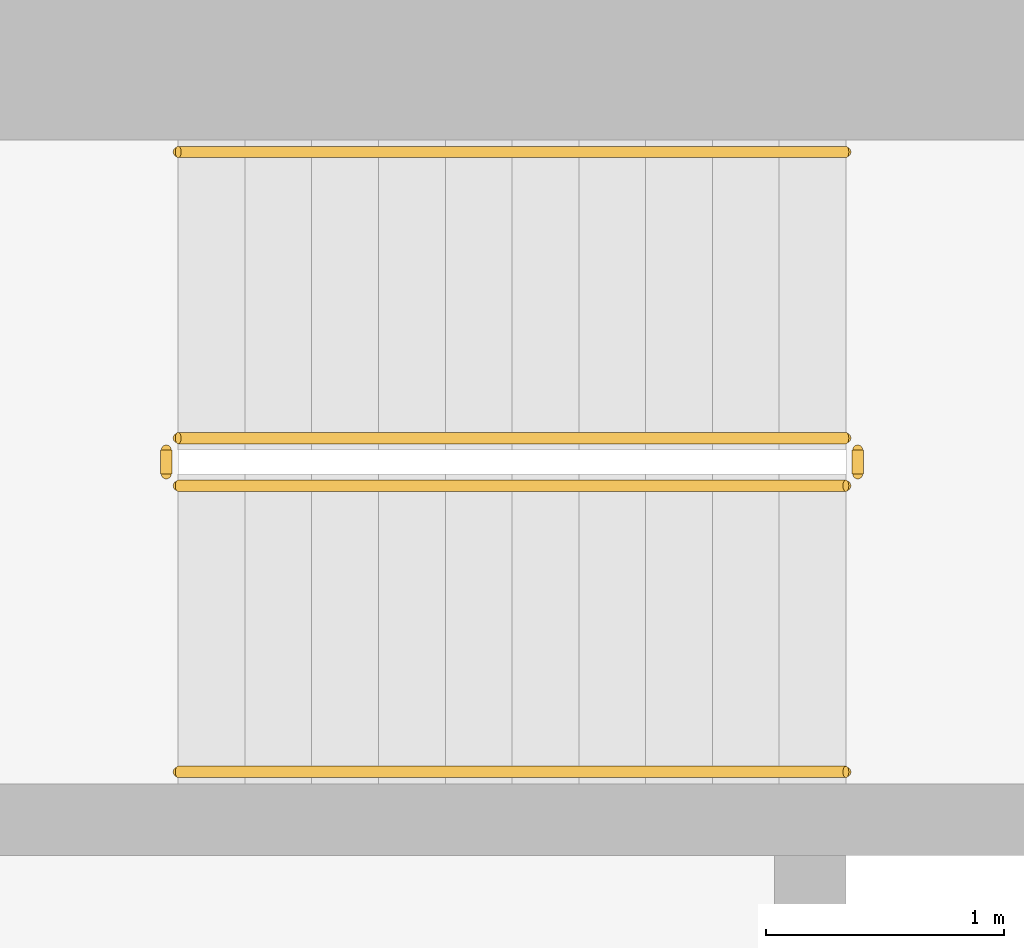
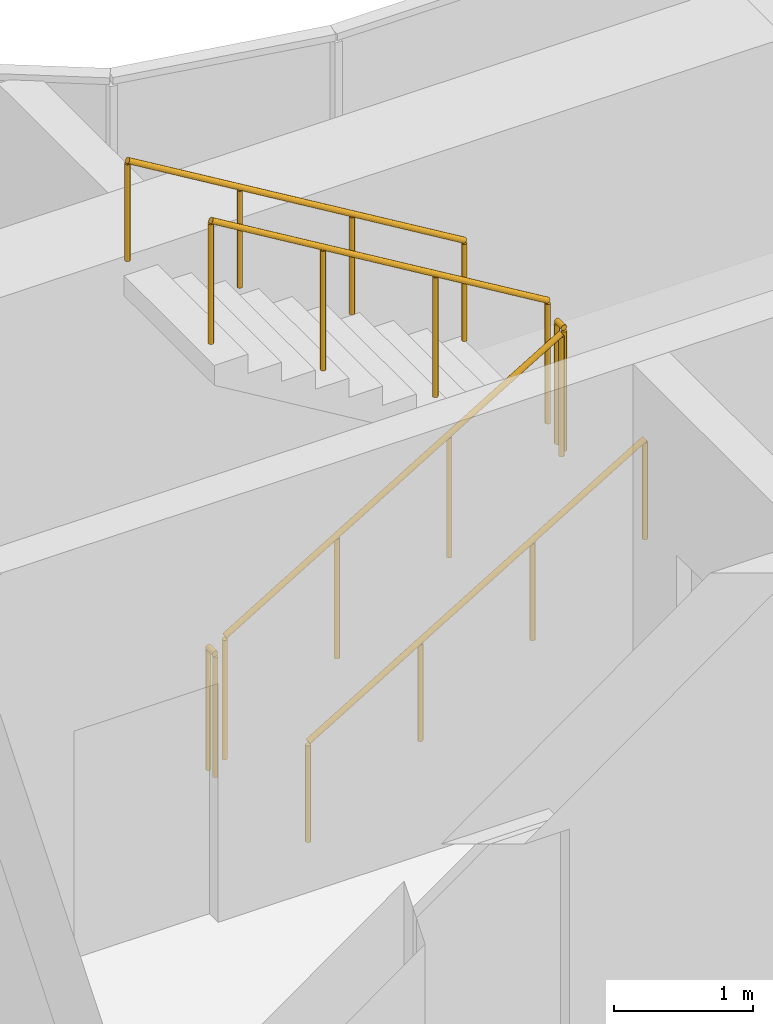
# One storey, part 19 of 22: 6 railings.
"""IFC4 building model written with IfcOpenShell, lengths in metres."""

import ifcopenshell
import ifcopenshell.guid

model = None  # the IFC model being written
_history = None  # IfcOwnerHistory: only IFC2X3 demands one
_inside = {}  # id of a spatial element -> (the spatial element, [elements in it])
_under = {}  # id of a project, library or spatial element -> (it, [spatial elements below it])
_declared = {}  # id of a project -> (the project, [libraries it declares])
_typed = {}  # id of a type object -> (the type object, [elements of that type])
_made_of = {}  # id of a material, layer set ... -> (it, [elements and type objects made of it])


def new_model(schema):
    """Start an empty IFC model of exactly this schema.

    Asked for "IFC4X3", IfcOpenShell would pick the latest addendum, in which some entities
    have other attributes; the version numbers below select the first issue.
    IFC2X3 requires an IfcOwnerHistory on every rooted entity: one is made here for all.
    """
    global model, _history
    if schema == "IFC4X3":
        model = ifcopenshell.file(schema_version=(4, 3, 0, 0))
    else:
        model = ifcopenshell.file(schema=schema)
    _inside.clear()
    _under.clear()
    _declared.clear()
    _typed.clear()
    _made_of.clear()
    _history = None
    if model.schema == "IFC2X3":
        org = make("IfcOrganization", Name="unknown")
        user = make(
            "IfcPersonAndOrganization",
            ThePerson=make("IfcPerson", FamilyName="unknown"),
            TheOrganization=org,
        )
        app = make(
            "IfcApplication",
            ApplicationDeveloper=org,
            Version="unknown",
            ApplicationFullName="unknown",
            ApplicationIdentifier="unknown",
        )
        _history = make(
            "IfcOwnerHistory",
            OwningUser=user,
            OwningApplication=app,
            ChangeAction="ADDED",
            CreationDate=0,
        )
    return model


def make(cls, **values):
    """One entity of the class cls with the attributes given. An attribute that is None is left unset."""
    return model.create_entity(
        cls, **{name: value for name, value in values.items() if value is not None}
    )


def rooted(cls, **values):
    """An entity with a GlobalId (a new one), such as an element, a storey or a relation."""
    return make(cls, GlobalId=ifcopenshell.guid.new(), OwnerHistory=_history, **values)


def si_unit(unit_type, name, prefix=None):
    """IfcSIUnit, for example si_unit("LENGTHUNIT", "METRE", prefix="MILLI")."""
    return make("IfcSIUnit", UnitType=unit_type, Prefix=prefix, Name=name)


def assignment(units):
    """IfcUnitAssignment: the units of a project."""
    return None if units is None else make("IfcUnitAssignment", Units=units)


def point(xyz):
    """IfcCartesianPoint."""
    return None if xyz is None else make("IfcCartesianPoint", Coordinates=xyz)


def direction(xyz):
    """IfcDirection."""
    return None if xyz is None else make("IfcDirection", DirectionRatios=xyz)


def frame(location, z_axis=None, x_axis=None):
    """IfcAxis2Placement3D, a coordinate frame: its origin and axes. An axis left out is left unset."""
    return make(
        "IfcAxis2Placement3D",
        Location=point(location),
        Axis=direction(z_axis),
        RefDirection=direction(x_axis),
    )


def frame_2d(location, x_axis=None):
    """IfcAxis2Placement2D, a coordinate frame in the plane: its origin and x axis."""
    return make(
        "IfcAxis2Placement2D", Location=point(location), RefDirection=direction(x_axis)
    )


def origin():
    """The frame at (0, 0, 0) with its axes left unset."""
    return frame((0.0, 0.0, 0.0))


def origin_2d():
    """The frame at (0, 0) in the plane with its x axis left unset."""
    return frame_2d((0.0, 0.0))


def place(relative_to, where):
    """IfcLocalPlacement: puts the frame where relative to a parent placement (None: the world)."""
    return make(
        "IfcLocalPlacement", PlacementRelTo=relative_to, RelativePlacement=where
    )


def context(
    kind, dimensions, precision=None, world=None, true_north=None, identifier=None
):
    """IfcGeometricRepresentationContext, for example the 3D "Model" context."""
    return make(
        "IfcGeometricRepresentationContext",
        ContextIdentifier=identifier,
        ContextType=kind,
        CoordinateSpaceDimension=dimensions,
        Precision=precision,
        WorldCoordinateSystem=world,
        TrueNorth=true_north,
    )


def subcontext(parent, identifier, kind, view, scale=None):
    """IfcGeometricRepresentationSubContext, for example "Body" below "Model"."""
    return make(
        "IfcGeometricRepresentationSubContext",
        ContextIdentifier=identifier,
        ContextType=kind,
        ParentContext=parent,
        TargetScale=scale,
        TargetView=view,
    )


def project(units=None, contexts=None):
    """IfcProject with its units and contexts."""
    return rooted(
        "IfcProject",
        Name="project",
        RepresentationContexts=contexts,
        UnitsInContext=assignment(units),
    )


def spatial(cls, under=None, at=None, **own):
    """A site, building, storey or space (cls), placed at a placement, below another one or the project."""
    s = rooted(cls, ObjectPlacement=at, **own)
    if under is not None:
        _under.setdefault(under.id(), (under, []))[1].append(s)
    return s


def profile(cls, at=None, kind="AREA", **sizes):
    """A parametric profile (cls). Its sizes go by their IFC names, for example OverallWidth=200.0."""
    return make(cls, ProfileType=kind, Position=at, **sizes)


def circle(**sizes):
    """IfcCircleProfileDef."""
    return profile("IfcCircleProfileDef", **sizes)


def extrude(swept, where, along, depth):
    """IfcExtrudedAreaSolid: the profile swept, set in the frame where, extruded along a direction by depth."""
    return make(
        "IfcExtrudedAreaSolid",
        SweptArea=swept,
        Position=where,
        ExtrudedDirection=direction(along),
        Depth=depth,
    )


def shape(context_of_items, identifier, shape_type, items):
    """IfcShapeRepresentation: the items that make up one representation, for example the "Body"."""
    return make(
        "IfcShapeRepresentation",
        ContextOfItems=context_of_items,
        RepresentationIdentifier=identifier,
        RepresentationType=shape_type,
        Items=items,
    )


def material(Name=None, Category=None):
    """IfcMaterial."""
    return make("IfcMaterial", Name=Name, Category=Category)


def made_of(thing, what):
    """Note that an element or type object is made of a material, layer set ...; save() writes the relation."""
    if what is not None:
        _made_of.setdefault(what.id(), (what, []))[1].append(thing)
    return thing


def type_object(cls, material=None, **own):
    """A type object (cls), such as IfcWallType, which elements share."""
    return made_of(rooted(cls, **own), material)


def element(
    cls,
    number,
    at=None,
    inside=None,
    cuts=None,
    type_object=None,
    material=None,
    context=None,
    identifier="Body",
    shape_type=None,
    held_by="IfcProductDefinitionShape",
    body=None,
    shapes=None,
    **own,
):
    """One element of the class cls, such as IfcWall. Its Tag is "e" and its number.

    at: its placement. inside: the storey or other place that contains it. cuts: it is an
    opening in that element (IfcRelVoidsElement). A single representation is given by context,
    identifier, shape_type and body (its items); several are given by shapes. held_by: the class
    of the entity that holds the representations. save() writes the other relations.
    """
    e = rooted(cls, Tag="e%d" % number, ObjectPlacement=at, **own)
    if body is not None:
        shapes = [shape(context, identifier, shape_type, body)]
    if shapes is not None:
        e.Representation = make(held_by, Representations=shapes)
    if inside is not None:
        _inside.setdefault(inside.id(), (inside, []))[1].append(e)
    if cuts is not None:
        rooted(
            "IfcRelVoidsElement", RelatingBuildingElement=cuts, RelatedOpeningElement=e
        )
    if type_object is not None:
        _typed.setdefault(type_object.id(), (type_object, []))[1].append(e)
    return made_of(e, material)


def aggregate(whole, parts):
    """IfcRelAggregates: a whole, such as a stair, and the parts it consists of."""
    return rooted("IfcRelAggregates", RelatingObject=whole, RelatedObjects=parts)


def save(model, path):
    """Write the relations noted so far, then the file.

    IfcRelAggregates (storeys below a building ...), IfcRelContainedInSpatialStructure (elements
    in a storey), IfcRelDefinesByType, IfcRelAssociatesMaterial and IfcRelDeclares: one each for
    every whole, place, type object, material and project.
    """
    for whole, parts in _under.values():
        aggregate(whole, parts)
    for where, things in _inside.values():
        rooted(
            "IfcRelContainedInSpatialStructure",
            RelatedElements=things,
            RelatingStructure=where,
        )
    for kind, things in _typed.values():
        rooted("IfcRelDefinesByType", RelatedObjects=things, RelatingType=kind)
    for what, things in _made_of.values():
        rooted("IfcRelAssociatesMaterial", RelatedObjects=things, RelatingMaterial=what)
    for by, libraries in _declared.values():
        rooted("IfcRelDeclares", RelatingContext=by, RelatedDefinitions=libraries)
    model.write(path)


model = new_model("IFC4")

# Units and contexts
model_context = context("Model", 3, precision=1e-05, world=origin(), true_north=direction((0.0, 1.0)))
body_context = subcontext(model_context, "Body", "Model", "MODEL_VIEW")
ifc_project = project(units=[si_unit("LENGTHUNIT", "METRE"), si_unit("AREAUNIT", "SQUARE_METRE"), si_unit("VOLUMEUNIT", "CUBIC_METRE"), si_unit("PLANEANGLEUNIT", "RADIAN"), si_unit("MASSUNIT", "GRAM", prefix="KILO")], contexts=[model_context])

# Site, building, storey
site_placement = place(None, origin())
site = spatial("IfcSite", under=ifc_project, at=site_placement, CompositionType="ELEMENT")
building_placement = place(site_placement, origin())
building = spatial("IfcBuilding", under=site, at=building_placement, Name="Ogive Portal Towers", CompositionType="ELEMENT")
storey_placement = place(building_placement, frame((0.0, 0.0, 131.5)))
storey = spatial("IfcBuildingStorey", under=building, at=storey_placement, Name="L32", CompositionType="ELEMENT", Elevation=131.5)

# Railings
ifc_material_1 = material(Name="Stainless steel balustrade", Category="steel")
railing_type_1 = type_object("IfcRailingType", Name="INT-GUARD", PredefinedType="GUARDRAIL", material=ifc_material_1)
railing_1_placement = place(storey_placement, frame((52.550048828125, 37.60009765625, 0.168212890625)))
element("IfcRailing", 1, at=railing_1_placement, inside=storey, type_object=railing_type_1, Name="L32 ST-A2 stair guard 1", PredefinedType="GUARDRAIL", context=body_context, shape_type="SweptSolid", body=[
    extrude(circle(Radius=0.02392578125, at=origin_2d()), frame((0.0, 0.0, 1.076171875), z_axis=(0.857242210791, 0.0, 0.514913383045), x_axis=(0.0, 1.0, 0.0)), (0.0, 0.0, 1.0), 3.266357421875),
    extrude(circle(Radius=0.02099609375, at=origin_2d()), origin(), (0.0, 0.0, 1.0), 1.052001953125),
    extrude(circle(Radius=0.02099609375, at=origin_2d()), frame((0.933349609375, 0.0, 0.560546875)), (0.0, 0.0, 1.0), 1.052001953125),
    extrude(circle(Radius=0.02099609375, at=origin_2d()), frame((1.86669921875, 0.0, 1.121337890625)), (0.0, 0.0, 1.0), 1.052001953125),
    extrude(circle(Radius=0.02099609375, at=origin_2d()), frame((2.800048828125, 0.0, 1.681884765625)), (0.0, 0.0, 1.0), 1.052001953125),
])
railing_2_placement = place(storey_placement, frame((55.39990234375, 37.64990234375, 1.85009765625)))
element("IfcRailing", 2, at=railing_2_placement, inside=storey, type_object=railing_type_1, Name="L32 ST-A2 stair guard 2", PredefinedType="GUARDRAIL", context=body_context, shape_type="SweptSolid", body=[
    extrude(circle(Radius=0.02392578125, at=origin_2d()), frame((0.0, 0.0, 1.076171875), z_axis=(0.0, 1.0, 0.0), x_axis=(-1.0, 0.0, 0.0)), (0.0, 0.0, 1.0), 0.10009765625),
    extrude(circle(Radius=0.02099609375, at=origin_2d()), origin(), (0.0, 0.0, 1.0), 1.052001953125),
    extrude(circle(Radius=0.02099609375, at=origin_2d()), frame((0.0, 0.10009765625, 0.0)), (0.0, 0.0, 1.0), 1.052001953125),
])
railing_3_placement = place(storey_placement, frame((55.35009765625, 37.800048828125, 2.01806640625)))
element("IfcRailing", 3, at=railing_3_placement, inside=storey, type_object=railing_type_1, Name="L32 ST-A2 stair guard 3", PredefinedType="GUARDRAIL", context=body_context, shape_type="SweptSolid", body=[
    extrude(circle(Radius=0.02392578125, at=origin_2d()), frame((0.0, 0.0, 1.076171875), z_axis=(-0.857242210791, 0.0, 0.514913383045), x_axis=(0.0, -1.0, 0.0)), (0.0, 0.0, 1.0), 3.266357421875),
    extrude(circle(Radius=0.02099609375, at=origin_2d()), origin(), (0.0, 0.0, 1.0), 1.052001953125),
    extrude(circle(Radius=0.02099609375, at=origin_2d()), frame((-0.933349609375, 0.0, 0.560546875)), (0.0, 0.0, 1.0), 1.052001953125),
    extrude(circle(Radius=0.02099609375, at=origin_2d()), frame((-1.86669921875, 0.0, 1.121337890625)), (0.0, 0.0, 1.0), 1.052001953125),
    extrude(circle(Radius=0.02099609375, at=origin_2d()), frame((-2.800048828125, 0.0, 1.681884765625)), (0.0, 0.0, 1.0), 1.052001953125),
])
railing_4_placement = place(storey_placement, frame((52.5, 37.64990234375, 0.0)))
element("IfcRailing", 4, at=railing_4_placement, inside=storey, type_object=railing_type_1, Name="L32 ST-A2 stair guard 4", PredefinedType="GUARDRAIL", context=body_context, shape_type="SweptSolid", body=[
    extrude(circle(Radius=0.02392578125, at=origin_2d()), frame((0.0, 0.0, 1.076171875), z_axis=(0.0, 1.0, 0.0), x_axis=(-1.0, 0.0, 0.0)), (0.0, 0.0, 1.0), 0.10009765625),
    extrude(circle(Radius=0.02099609375, at=origin_2d()), origin(), (0.0, 0.0, 1.0), 1.052001953125),
    extrude(circle(Radius=0.02099609375, at=origin_2d()), frame((0.0, 0.10009765625, 0.0)), (0.0, 0.0, 1.0), 1.052001953125),
])
ifc_material_2 = material(Name="Stainless steel handrail", Category="steel")
railing_type_2 = type_object("IfcRailingType", Name="INT-HANDRAIL", PredefinedType="HANDRAIL", material=ifc_material_2)
railing_5_placement = place(storey_placement, frame((52.550048828125, 36.39990234375, 0.168212890625)))
element("IfcRailing", 5, at=railing_5_placement, inside=storey, type_object=railing_type_2, Name="L32 ST-A2 stair handrail 1", PredefinedType="HANDRAIL", context=body_context, shape_type="SweptSolid", body=[
    extrude(circle(Radius=0.02392578125, at=origin_2d()), frame((0.0, 0.0, 0.8759765625), z_axis=(0.857242210791, 0.0, 0.514913383045), x_axis=(0.0, 1.0, 0.0)), (0.0, 0.0, 1.0), 3.266357421875),
    extrude(circle(Radius=0.02099609375, at=origin_2d()), origin(), (0.0, 0.0, 1.0), 0.851806640625),
    extrude(circle(Radius=0.02099609375, at=origin_2d()), frame((0.933349609375, 0.0, 0.560546875)), (0.0, 0.0, 1.0), 0.851806640625),
    extrude(circle(Radius=0.02099609375, at=origin_2d()), frame((1.86669921875, 0.0, 1.121337890625)), (0.0, 0.0, 1.0), 0.851806640625),
    extrude(circle(Radius=0.02099609375, at=origin_2d()), frame((2.800048828125, 0.0, 1.681884765625)), (0.0, 0.0, 1.0), 0.851806640625),
])
railing_6_placement = place(storey_placement, frame((55.35009765625, 39.0, 2.01806640625)))
element("IfcRailing", 6, at=railing_6_placement, inside=storey, type_object=railing_type_2, Name="L32 ST-A2 stair handrail 2", PredefinedType="HANDRAIL", context=body_context, shape_type="SweptSolid", body=[
    extrude(circle(Radius=0.02392578125, at=origin_2d()), frame((0.0, 0.0, 0.8759765625), z_axis=(-0.857242210791, 0.0, 0.514913383045), x_axis=(0.0, -1.0, 0.0)), (0.0, 0.0, 1.0), 3.266357421875),
    extrude(circle(Radius=0.02099609375, at=origin_2d()), origin(), (0.0, 0.0, 1.0), 0.851806640625),
    extrude(circle(Radius=0.02099609375, at=origin_2d()), frame((-0.933349609375, 0.0, 0.560546875)), (0.0, 0.0, 1.0), 0.851806640625),
    extrude(circle(Radius=0.02099609375, at=origin_2d()), frame((-1.86669921875, 0.0, 1.121337890625)), (0.0, 0.0, 1.0), 0.851806640625),
    extrude(circle(Radius=0.02099609375, at=origin_2d()), frame((-2.800048828125, 0.0, 1.681884765625)), (0.0, 0.0, 1.0), 0.851806640625),
])

save(model, "model.ifc")
